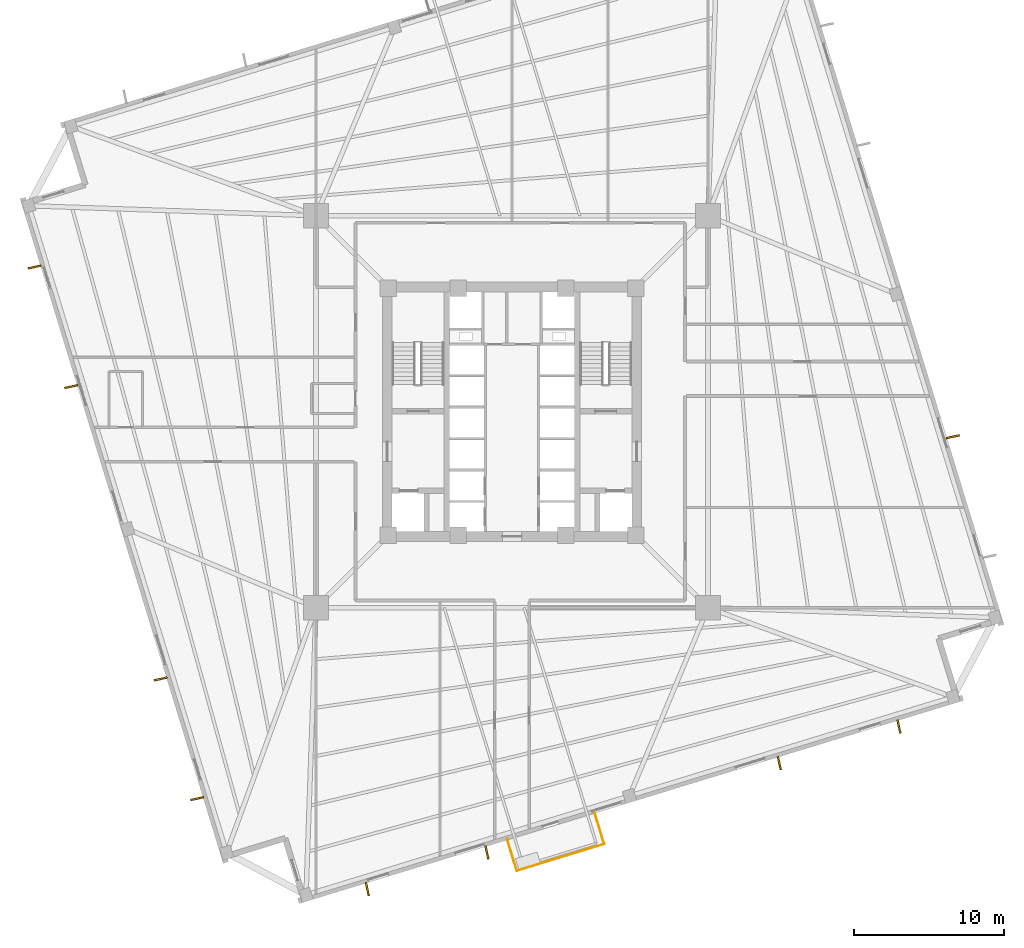
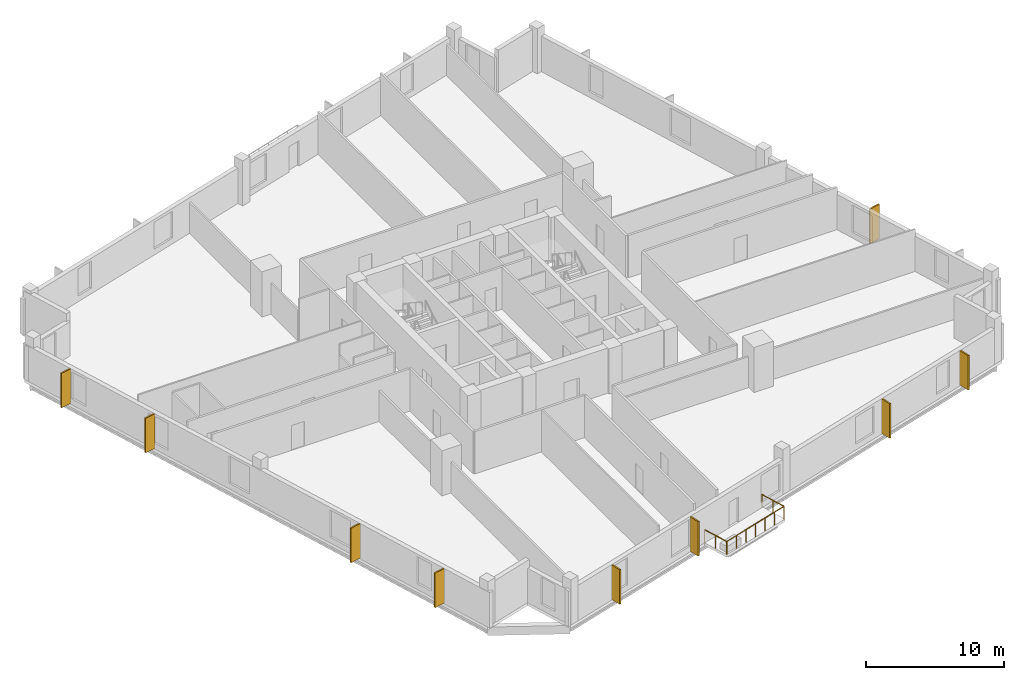
# One storey, part 7 of 9: 9 coverings, 3 railings.
"""IFC4 building model written with IfcOpenShell, lengths in metres."""

import ifcopenshell
import ifcopenshell.guid

model = None  # the IFC model being written
_history = None  # IfcOwnerHistory: only IFC2X3 demands one
_inside = {}  # id of a spatial element -> (the spatial element, [elements in it])
_under = {}  # id of a project, library or spatial element -> (it, [spatial elements below it])
_declared = {}  # id of a project -> (the project, [libraries it declares])
_typed = {}  # id of a type object -> (the type object, [elements of that type])
_made_of = {}  # id of a material, layer set ... -> (it, [elements and type objects made of it])


def new_model(schema):
    """Start an empty IFC model of exactly this schema.

    Asked for "IFC4X3", IfcOpenShell would pick the latest addendum, in which some entities
    have other attributes; the version numbers below select the first issue.
    IFC2X3 requires an IfcOwnerHistory on every rooted entity: one is made here for all.
    """
    global model, _history
    if schema == "IFC4X3":
        model = ifcopenshell.file(schema_version=(4, 3, 0, 0))
    else:
        model = ifcopenshell.file(schema=schema)
    _inside.clear()
    _under.clear()
    _declared.clear()
    _typed.clear()
    _made_of.clear()
    _history = None
    if model.schema == "IFC2X3":
        org = make("IfcOrganization", Name="unknown")
        user = make(
            "IfcPersonAndOrganization",
            ThePerson=make("IfcPerson", FamilyName="unknown"),
            TheOrganization=org,
        )
        app = make(
            "IfcApplication",
            ApplicationDeveloper=org,
            Version="unknown",
            ApplicationFullName="unknown",
            ApplicationIdentifier="unknown",
        )
        _history = make(
            "IfcOwnerHistory",
            OwningUser=user,
            OwningApplication=app,
            ChangeAction="ADDED",
            CreationDate=0,
        )
    return model


def make(cls, **values):
    """One entity of the class cls with the attributes given. An attribute that is None is left unset."""
    return model.create_entity(
        cls, **{name: value for name, value in values.items() if value is not None}
    )


def rooted(cls, **values):
    """An entity with a GlobalId (a new one), such as an element, a storey or a relation."""
    return make(cls, GlobalId=ifcopenshell.guid.new(), OwnerHistory=_history, **values)


def si_unit(unit_type, name, prefix=None):
    """IfcSIUnit, for example si_unit("LENGTHUNIT", "METRE", prefix="MILLI")."""
    return make("IfcSIUnit", UnitType=unit_type, Prefix=prefix, Name=name)


def assignment(units):
    """IfcUnitAssignment: the units of a project."""
    return None if units is None else make("IfcUnitAssignment", Units=units)


def point(xyz):
    """IfcCartesianPoint."""
    return None if xyz is None else make("IfcCartesianPoint", Coordinates=xyz)


def direction(xyz):
    """IfcDirection."""
    return None if xyz is None else make("IfcDirection", DirectionRatios=xyz)


def frame(location, z_axis=None, x_axis=None):
    """IfcAxis2Placement3D, a coordinate frame: its origin and axes. An axis left out is left unset."""
    return make(
        "IfcAxis2Placement3D",
        Location=point(location),
        Axis=direction(z_axis),
        RefDirection=direction(x_axis),
    )


def frame_2d(location, x_axis=None):
    """IfcAxis2Placement2D, a coordinate frame in the plane: its origin and x axis."""
    return make(
        "IfcAxis2Placement2D", Location=point(location), RefDirection=direction(x_axis)
    )


def origin():
    """The frame at (0, 0, 0) with its axes left unset."""
    return frame((0.0, 0.0, 0.0))


def origin_2d():
    """The frame at (0, 0) in the plane with its x axis left unset."""
    return frame_2d((0.0, 0.0))


def place(relative_to, where):
    """IfcLocalPlacement: puts the frame where relative to a parent placement (None: the world)."""
    return make(
        "IfcLocalPlacement", PlacementRelTo=relative_to, RelativePlacement=where
    )


def context(
    kind, dimensions, precision=None, world=None, true_north=None, identifier=None
):
    """IfcGeometricRepresentationContext, for example the 3D "Model" context."""
    return make(
        "IfcGeometricRepresentationContext",
        ContextIdentifier=identifier,
        ContextType=kind,
        CoordinateSpaceDimension=dimensions,
        Precision=precision,
        WorldCoordinateSystem=world,
        TrueNorth=true_north,
    )


def subcontext(parent, identifier, kind, view, scale=None):
    """IfcGeometricRepresentationSubContext, for example "Body" below "Model"."""
    return make(
        "IfcGeometricRepresentationSubContext",
        ContextIdentifier=identifier,
        ContextType=kind,
        ParentContext=parent,
        TargetScale=scale,
        TargetView=view,
    )


def project(units=None, contexts=None):
    """IfcProject with its units and contexts."""
    return rooted(
        "IfcProject",
        Name="project",
        RepresentationContexts=contexts,
        UnitsInContext=assignment(units),
    )


def spatial(cls, under=None, at=None, **own):
    """A site, building, storey or space (cls), placed at a placement, below another one or the project."""
    s = rooted(cls, ObjectPlacement=at, **own)
    if under is not None:
        _under.setdefault(under.id(), (under, []))[1].append(s)
    return s


def profile(cls, at=None, kind="AREA", **sizes):
    """A parametric profile (cls). Its sizes go by their IFC names, for example OverallWidth=200.0."""
    return make(cls, ProfileType=kind, Position=at, **sizes)


def rectangle(**sizes):
    """IfcRectangleProfileDef."""
    return profile("IfcRectangleProfileDef", **sizes)


def circle(**sizes):
    """IfcCircleProfileDef."""
    return profile("IfcCircleProfileDef", **sizes)


def extrude(swept, where, along, depth):
    """IfcExtrudedAreaSolid: the profile swept, set in the frame where, extruded along a direction by depth."""
    return make(
        "IfcExtrudedAreaSolid",
        SweptArea=swept,
        Position=where,
        ExtrudedDirection=direction(along),
        Depth=depth,
    )


def shape(context_of_items, identifier, shape_type, items):
    """IfcShapeRepresentation: the items that make up one representation, for example the "Body"."""
    return make(
        "IfcShapeRepresentation",
        ContextOfItems=context_of_items,
        RepresentationIdentifier=identifier,
        RepresentationType=shape_type,
        Items=items,
    )


def source(mapping_origin, context_of_items, identifier, shape_type, items):
    """IfcRepresentationMap: a shape defined once, which mapped items show again and again."""
    return make(
        "IfcRepresentationMap",
        MappingOrigin=mapping_origin,
        MappedRepresentation=shape(context_of_items, identifier, shape_type, items),
    )


def transform(
    local_origin,
    x_axis=None,
    y_axis=None,
    z_axis=None,
    scale=None,
    scale2=None,
    scale3=None,
    uniform=True,
):
    """IfcCartesianTransformationOperator3D, or its non-uniform kind. x_axis, y_axis, z_axis: its Axis1, 2, 3."""
    if uniform:
        return make(
            "IfcCartesianTransformationOperator3D",
            Axis1=direction(x_axis),
            Axis2=direction(y_axis),
            LocalOrigin=point(local_origin),
            Scale=scale,
            Axis3=direction(z_axis),
        )
    return make(
        "IfcCartesianTransformationOperator3DnonUniform",
        Axis1=direction(x_axis),
        Axis2=direction(y_axis),
        LocalOrigin=point(local_origin),
        Scale=scale,
        Axis3=direction(z_axis),
        Scale2=scale2,
        Scale3=scale3,
    )


def mapped(mapping_source, mapping_target):
    """IfcMappedItem: shows the shape of a source again, moved by a transform."""
    return make(
        "IfcMappedItem", MappingSource=mapping_source, MappingTarget=mapping_target
    )


def material(Name=None, Category=None):
    """IfcMaterial."""
    return make("IfcMaterial", Name=Name, Category=Category)


def layer(
    of_material, thickness, ventilated=None, Name=None, Category=None, Priority=None
):
    """IfcMaterialLayer: one layer of a wall or slab, of a material (None: an air gap)."""
    return make(
        "IfcMaterialLayer",
        Material=of_material,
        LayerThickness=thickness,
        IsVentilated=ventilated,
        Name=Name,
        Category=Category,
        Priority=Priority,
    )


def layer_set(layers, Name=None):
    """IfcMaterialLayerSet."""
    return make("IfcMaterialLayerSet", MaterialLayers=layers, LayerSetName=Name)


def made_of(thing, what):
    """Note that an element or type object is made of a material, layer set ...; save() writes the relation."""
    if what is not None:
        _made_of.setdefault(what.id(), (what, []))[1].append(thing)
    return thing


def type_object(cls, material=None, **own):
    """A type object (cls), such as IfcWallType, which elements share."""
    return made_of(rooted(cls, **own), material)


def element(
    cls,
    number,
    at=None,
    inside=None,
    cuts=None,
    type_object=None,
    material=None,
    context=None,
    identifier="Body",
    shape_type=None,
    held_by="IfcProductDefinitionShape",
    body=None,
    shapes=None,
    **own,
):
    """One element of the class cls, such as IfcWall. Its Tag is "e" and its number.

    at: its placement. inside: the storey or other place that contains it. cuts: it is an
    opening in that element (IfcRelVoidsElement). A single representation is given by context,
    identifier, shape_type and body (its items); several are given by shapes. held_by: the class
    of the entity that holds the representations. save() writes the other relations.
    """
    e = rooted(cls, Tag="e%d" % number, ObjectPlacement=at, **own)
    if body is not None:
        shapes = [shape(context, identifier, shape_type, body)]
    if shapes is not None:
        e.Representation = make(held_by, Representations=shapes)
    if inside is not None:
        _inside.setdefault(inside.id(), (inside, []))[1].append(e)
    if cuts is not None:
        rooted(
            "IfcRelVoidsElement", RelatingBuildingElement=cuts, RelatedOpeningElement=e
        )
    if type_object is not None:
        _typed.setdefault(type_object.id(), (type_object, []))[1].append(e)
    return made_of(e, material)


def aggregate(whole, parts):
    """IfcRelAggregates: a whole, such as a stair, and the parts it consists of."""
    return rooted("IfcRelAggregates", RelatingObject=whole, RelatedObjects=parts)


def save(model, path):
    """Write the relations noted so far, then the file.

    IfcRelAggregates (storeys below a building ...), IfcRelContainedInSpatialStructure (elements
    in a storey), IfcRelDefinesByType, IfcRelAssociatesMaterial and IfcRelDeclares: one each for
    every whole, place, type object, material and project.
    """
    for whole, parts in _under.values():
        aggregate(whole, parts)
    for where, things in _inside.values():
        rooted(
            "IfcRelContainedInSpatialStructure",
            RelatedElements=things,
            RelatingStructure=where,
        )
    for kind, things in _typed.values():
        rooted("IfcRelDefinesByType", RelatedObjects=things, RelatingType=kind)
    for what, things in _made_of.values():
        rooted("IfcRelAssociatesMaterial", RelatedObjects=things, RelatingMaterial=what)
    for by, libraries in _declared.values():
        rooted("IfcRelDeclares", RelatingContext=by, RelatedDefinitions=libraries)
    model.write(path)


model = new_model("IFC4")

# Units and contexts
model_context = context("Model", 3, precision=1e-05, world=origin(), true_north=direction((0.0, 1.0)))
body_context = subcontext(model_context, "Body", "Model", "MODEL_VIEW")
ifc_project = project(units=[si_unit("LENGTHUNIT", "METRE"), si_unit("AREAUNIT", "SQUARE_METRE"), si_unit("VOLUMEUNIT", "CUBIC_METRE"), si_unit("PLANEANGLEUNIT", "RADIAN"), si_unit("MASSUNIT", "GRAM", prefix="KILO"), si_unit("THERMODYNAMICTEMPERATUREUNIT", "KELVIN")], contexts=[model_context])

# Site, building, storey
site_placement = place(None, origin())
site = spatial("IfcSite", under=ifc_project, at=site_placement, CompositionType="ELEMENT")
building_placement = place(site_placement, origin())
building = spatial("IfcBuilding", under=site, at=building_placement, Name="Kosmvard Interchange Tower", CompositionType="ELEMENT")
storey_placement = place(building_placement, frame((0.0, 0.0, 127.199951171875)))
storey = spatial("IfcBuildingStorey", under=building, at=storey_placement, Name="L30", CompositionType="ELEMENT", Elevation=127.199951171875)

# Railings
ifc_material_1 = material(Name="Steel S355", Category="steel")
railing_type = type_object("IfcRailingType", Name="Observation & Balcony Glass-Infill Balustrade 1150", PredefinedType="BALUSTRADE", material=ifc_material_1)
shared_shape_1 = source(origin(), body_context, "Body", "SweptSolid", [
    extrude(circle(Radius=0.02392578125, at=origin_2d()), frame((0.0, 0.0, 1.1259765625), z_axis=(-0.292424349234, 0.956288659336, 0.0), x_axis=(-0.956288659336, -0.292424349234, 0.0)), (0.0, 0.0, 1.0), 2.199951171875),
    extrude(circle(Radius=0.02099609375, at=origin_2d()), origin(), (0.0, 0.0, 1.0), 1.101806640625),
    extrude(circle(Radius=0.02099609375, at=origin_2d()), frame((-0.32177734375, 1.0517578125, 0.0)), (0.0, 0.0, 1.0), 1.101806640625),
    extrude(circle(Radius=0.02099609375, at=origin_2d()), frame((-0.643310546875, 2.103759765625, 0.0)), (0.0, 0.0, 1.0), 1.101806640625),
])
railing_1_placement = place(storey_placement, frame((6.1572265625, -28.86083984375, 0.0)))
element("IfcRailing", 1, at=railing_1_placement, inside=storey, type_object=railing_type, Name="L30 Outdoor Terrace Guard BAL-L30-S-C", PredefinedType="BALUSTRADE", context=body_context, shape_type="MappedRepresentation", body=[
    mapped(shared_shape_1, transform((0.0, 0.0, 0.0), scale=1.0)),
])
shared_shape_2 = source(origin(), body_context, "Body", "SweptSolid", [
    extrude(circle(Radius=0.02392578125, at=origin_2d()), frame((0.0, 0.0, 1.1259765625), z_axis=(0.292424349234, -0.956288659336, 0.0), x_axis=(0.956288659336, 0.292424349234, 0.0)), (0.0, 0.0, 1.0), 2.199951171875),
    extrude(circle(Radius=0.02099609375, at=origin_2d()), origin(), (0.0, 0.0, 1.0), 1.101806640625),
    extrude(circle(Radius=0.02099609375, at=origin_2d()), frame((0.32177734375, -1.0517578125, 0.0)), (0.0, 0.0, 1.0), 1.101806640625),
    extrude(circle(Radius=0.02099609375, at=origin_2d()), frame((0.643310546875, -2.103759765625, 0.0)), (0.0, 0.0, 1.0), 1.101806640625),
])
railing_2_placement = place(storey_placement, frame((-0.319580078125, -28.54052734375, 0.0)))
element("IfcRailing", 2, at=railing_2_placement, inside=storey, type_object=railing_type, Name="L30 Outdoor Terrace Guard BAL-L30-S-A", PredefinedType="BALUSTRADE", context=body_context, shape_type="MappedRepresentation", body=[
    mapped(shared_shape_2, transform((0.0, 0.0, 0.0), scale=1.0)),
])

# Coverings
ifc_material_2 = material(Name="Architectural anodised aluminium", Category="aluminium")
ifc_layer = layer(ifc_material_2, 0.1201171875, Name="Architectural anodised aluminium")
ifc_layer_set = layer_set([ifc_layer], Name="Architectural anodised aluminium")
covering_type = type_object("IfcCoveringType", Name="Rotating Vertical Sun-Breaker Fin 900x120 Aluminium", PredefinedType="CLADDING", material=ifc_layer_set)
shared_shape_3 = source(origin(), body_context, "Body", "SweptSolid", [
    extrude(rectangle(XDim=0.89990234375, YDim=0.1201171875, at=origin_2d()), origin(), (0.0, 0.0, 1.0), 3.06005859375),
])
for number, where, z_axis, x_axis, name in (
    (3, (-9.6572265625, -31.865966796875, 0.0400390625), (0.0, 0.0, 1.0), (0.21251877723, -0.977156982948, 0.0), "L30 Rotating Vertical Sun-Breaker Fin 01"),
    (4, (-1.673583984375, -29.425048828125, 0.0400390625), (0.0, 0.0, 1.0), (0.21251877723, -0.977156982948, 0.0), "L30 Rotating Vertical Sun-Breaker Fin 02"),
    (5, (17.841796875, -23.45849609375, 0.0400390625), (0.0, 0.0, 1.0), (0.21251877723, -0.977156982948, 0.0), "L30 Rotating Vertical Sun-Breaker Fin 03"),
    (6, (25.825439453125, -21.017822265625, 0.0400390625), (0.0, 0.0, 1.0), (0.21251877723, -0.977156982948, 0.0), "L30 Rotating Vertical Sun-Breaker Fin 04"),
    (7, (29.425048828125, -1.673583984375, 0.0400390625), (0.0, 0.0, 1.0), (0.977156982948, 0.21251877723, 0.0), "L30 Rotating Vertical Sun-Breaker Fin 06"),
    (8, (-31.865966796875, 9.6572265625, 0.0400390625), (0.0, 0.0, 1.0), (-0.977156982948, -0.21251877723, 0.0), "L30 Rotating Vertical Sun-Breaker Fin 13"),
    (9, (-29.425048828125, 1.673583984375, 0.0400390625), (0.0, 0.0, 1.0), (-0.977156982948, -0.21251877723, 0.0), "L30 Rotating Vertical Sun-Breaker Fin 14"),
    (10, (-23.45849609375, -17.841796875, 0.0400390625), (0.0, 0.0, 1.0), (-0.977156982948, -0.21251877723, 0.0), "L30 Rotating Vertical Sun-Breaker Fin 15"),
    (11, (-21.017822265625, -25.825439453125, 0.0400390625), (0.0, 0.0, 1.0), (-0.977156982948, -0.21251877723, 0.0), "L30 Rotating Vertical Sun-Breaker Fin 16"),
):
    element("IfcCovering", number, at=place(storey_placement, frame(where, z_axis=z_axis, x_axis=x_axis)), inside=storey, type_object=covering_type, Name=name, PredefinedType="CLADDING", context=body_context, shape_type="MappedRepresentation", body=[
        mapped(shared_shape_3, transform((0.0, 0.0, 0.0), scale=1.0)),
    ])

# Railing
shared_shape_4 = source(origin(), body_context, "Body", "SweptSolid", [
    extrude(circle(Radius=0.02392578125, at=origin_2d()), frame((0.0, 0.0, 1.1259765625), z_axis=(0.956306198406, 0.292366986664, 0.0), x_axis=(-0.292366986664, 0.956306198406, 0.0)), (0.0, 0.0, 1.0), 6.10009765625),
    extrude(circle(Radius=0.02099609375, at=origin_2d()), origin(), (0.0, 0.0, 1.0), 1.101806640625),
    extrude(circle(Radius=0.02099609375, at=origin_2d()), frame((0.97216796875, 0.29736328125, 0.0)), (0.0, 0.0, 1.0), 1.101806640625),
    extrude(circle(Radius=0.02099609375, at=origin_2d()), frame((1.944580078125, 0.594482421875, 0.0)), (0.0, 0.0, 1.0), 1.101806640625),
    extrude(circle(Radius=0.02099609375, at=origin_2d()), frame((2.916748046875, 0.8916015625, 0.0)), (0.0, 0.0, 1.0), 1.101806640625),
    extrude(circle(Radius=0.02099609375, at=origin_2d()), frame((3.888916015625, 1.18896484375, 0.0)), (0.0, 0.0, 1.0), 1.101806640625),
    extrude(circle(Radius=0.02099609375, at=origin_2d()), frame((4.861328125, 1.486328125, 0.0)), (0.0, 0.0, 1.0), 1.101806640625),
    extrude(circle(Radius=0.02099609375, at=origin_2d()), frame((5.83349609375, 1.783447265625, 0.0)), (0.0, 0.0, 1.0), 1.101806640625),
])
railing_3_placement = place(storey_placement, frame((0.32373046875, -30.644287109375, 0.0)))
element("IfcRailing", 12, at=railing_3_placement, inside=storey, type_object=railing_type, Name="L30 Outdoor Terrace Guard BAL-L30-S-B", PredefinedType="BALUSTRADE", context=body_context, shape_type="MappedRepresentation", body=[
    mapped(shared_shape_4, transform((0.0, 0.0, 0.0), scale=1.0)),
])

save(model, "model.ifc")
